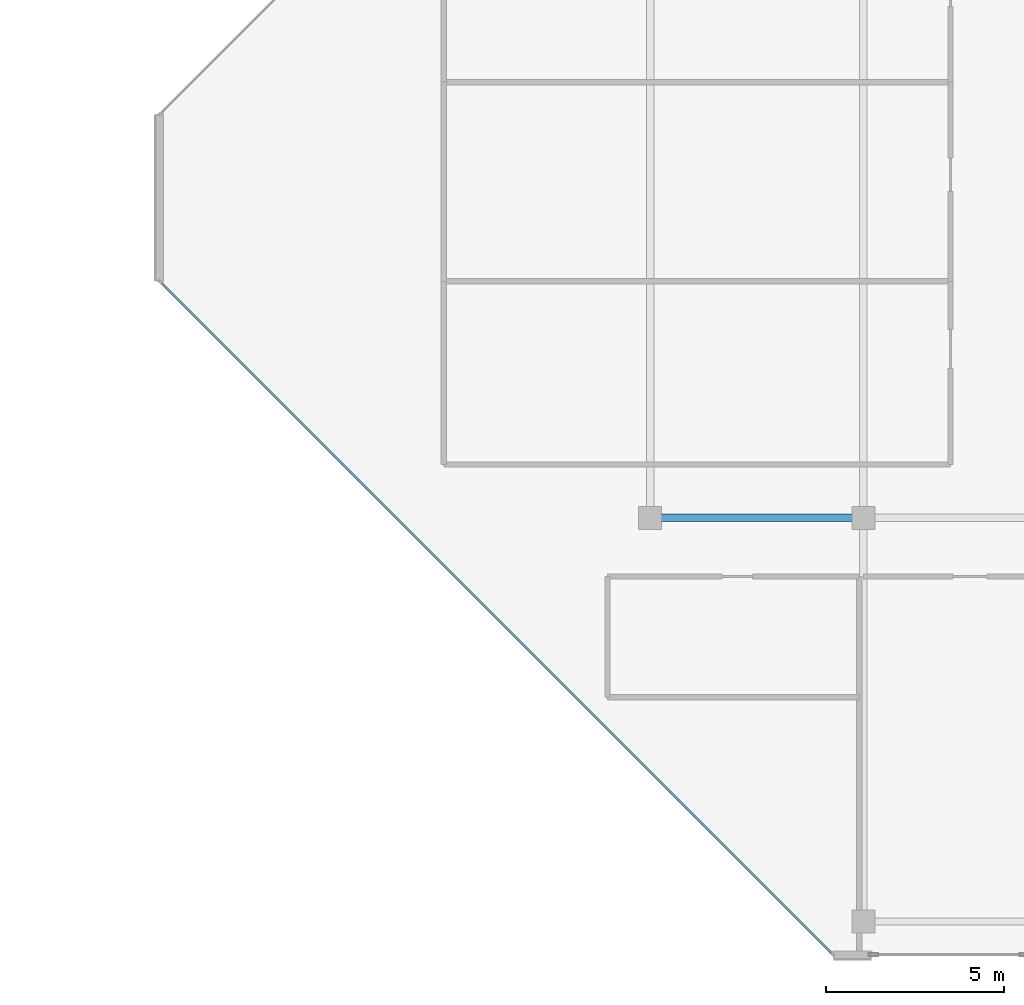
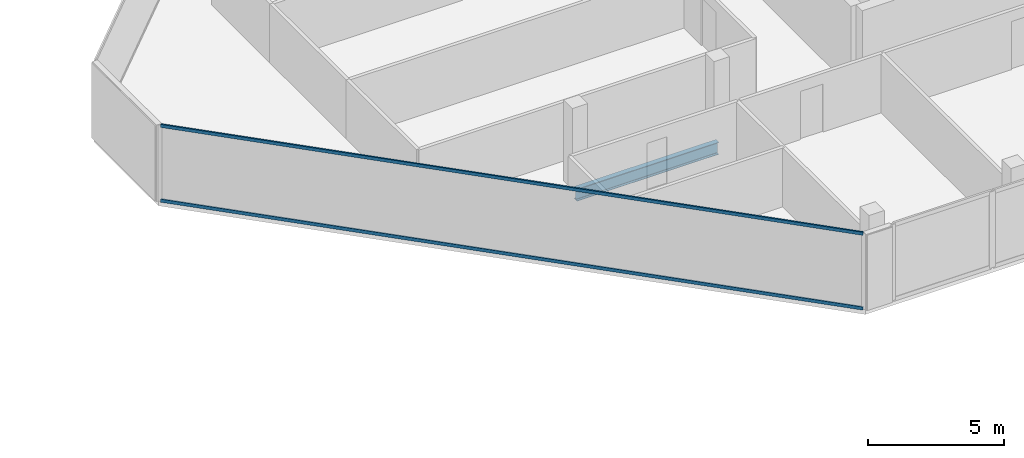
# One storey, part 9 of 30: 2 members, 1 beam, 1 element without a shape of its own.
"""IFC4 building model written with IfcOpenShell, lengths in metres."""

from ifc_helpers import new_model, si_unit, direction, frame, origin, origin_2d, place, context, subcontext, project, spatial, hollow_rectangle, i_section, extrude, material, layer, layer_set, material_profile, profile_set, type_object, element, aggregate, save


model = new_model("IFC4")

# Units and contexts
model_context = context("Model", 3, precision=1e-05, world=origin(), true_north=direction((0.0, 1.0)))
body_context = subcontext(model_context, "Body", "Model", "MODEL_VIEW")
ifc_project = project(units=[si_unit("LENGTHUNIT", "METRE"), si_unit("AREAUNIT", "SQUARE_METRE"), si_unit("VOLUMEUNIT", "CUBIC_METRE"), si_unit("PLANEANGLEUNIT", "RADIAN"), si_unit("MASSUNIT", "GRAM", prefix="KILO")], contexts=[model_context])

# Site, building, storey
site_placement = place(None, origin())
site = spatial("IfcSite", under=ifc_project, at=site_placement, CompositionType="ELEMENT")
building_placement = place(site_placement, origin())
building = spatial("IfcBuilding", under=site, at=building_placement, Name="Tanjung Sevakor Pilgrim Tower", CompositionType="ELEMENT")
storey_placement = place(building_placement, frame((0.0, 0.0, 253.43994140625)))
storey = spatial("IfcBuildingStorey", under=building, at=storey_placement, Name="L71", CompositionType="ELEMENT", Elevation=253.43994140625)

# Beam
ifc_material_1 = material(Name="Steel S355J2", Category="steel")
ifc_material_profile_1 = material_profile(ifc_material_1, i_section(OverallWidth=0.2119140625, OverallDepth=0.54443359375, WebThickness=0.0126953125, FlangeThickness=0.021240234375, FilletRadius=0.0126953125, at=origin_2d()))
ifc_profile_set_1 = profile_set([ifc_material_profile_1], Name="Steel S355J2")
beam_type = type_object("IfcBeamType", Name="BM-B-G5-UB_533x210x122", PredefinedType="BEAM", material=ifc_profile_set_1)
beam_placement = place(storey_placement, frame((66.0, 24.60009765625, -0.4921875), z_axis=(1.0, 0.0, 0.0), x_axis=(0.0, 1.0, 0.0)))
element("IfcBeam", 1, at=beam_placement, inside=storey, type_object=beam_type, Name="L71 Primary Floor Girder EAST Y246-01", PredefinedType="BEAM", context=body_context, shape_type="SweptSolid", body=[
    extrude(i_section(OverallWidth=0.2119140625, OverallDepth=0.54443359375, WebThickness=0.0126953125, FlangeThickness=0.021240234375, FilletRadius=0.0126953125, at=origin_2d()), origin(), (0.0, 0.0, 1.0), 6.0),
])

# Curtain wall, members
ifc_material_2 = material(Name="Aluminium 6063-T6 and Low-E Glass", Category="aluminium")
ifc_layer = layer(ifc_material_2, 0.179931640625)
ifc_layer_set = layer_set([ifc_layer], Name="CW-SYS-CHAM")
curtain_wall_type = type_object("IfcCurtainWallType", Name="CW-SYS-CHAM", PredefinedType="NOTDEFINED", material=ifc_layer_set)
curtain_wall_placement = place(storey_placement, origin())
curtain_wall = element("IfcCurtainWall", 2, at=curtain_wall_placement, inside=storey, type_object=curtain_wall_type, Name="L71 Curtain Wall CW-CHM-L71-EAST-7", PredefinedType="NOTDEFINED")
ifc_material_3 = material(Name="Aluminium 6063-T6", Category="aluminium")
ifc_material_profile_2 = material_profile(ifc_material_3, hollow_rectangle(XDim=0.06494140625, YDim=0.139892578125, WallThickness=0.00390625, at=origin_2d()))
ifc_profile_set_2 = profile_set([ifc_material_profile_2], Name="Aluminium 6063-T6")
member_type = type_object("IfcMemberType", Name="TYPE-CWT-1", PredefinedType="USERDEFINED", material=ifc_profile_set_2)
member_1_placement = place(storey_placement, frame((52.255859375, 31.19970703125, 0.032470703125), z_axis=(0.707106781187, -0.707106781187, 0.0), x_axis=(0.707106781187, 0.707106781187, 0.0)))
member_1 = element("IfcMember", 3, at=member_1_placement, type_object=member_type, Name="CW-CHM transom 1.1", ObjectType="TRANSOM", PredefinedType="USERDEFINED", context=body_context, shape_type="SweptSolid", body=[
    extrude(hollow_rectangle(XDim=0.06494140625, YDim=0.139892578125, WallThickness=0.00390625, at=origin_2d()), origin(), (0.0, 0.0, 1.0), 26.649169921875),
])
member_2_placement = place(storey_placement, frame((52.255859375, 31.19970703125, 3.37744140625), z_axis=(0.707106781187, -0.707106781187, 0.0), x_axis=(0.707106781187, 0.707106781187, 0.0)))
member_2 = element("IfcMember", 4, at=member_2_placement, type_object=member_type, Name="CW-CHM transom 1.2", ObjectType="TRANSOM", PredefinedType="USERDEFINED", context=body_context, shape_type="SweptSolid", body=[
    extrude(hollow_rectangle(XDim=0.06494140625, YDim=0.139892578125, WallThickness=0.00390625, at=origin_2d()), origin(), (0.0, 0.0, 1.0), 26.649169921875),
])
aggregate(curtain_wall, [member_1, member_2])

save(model, "model.ifc")
